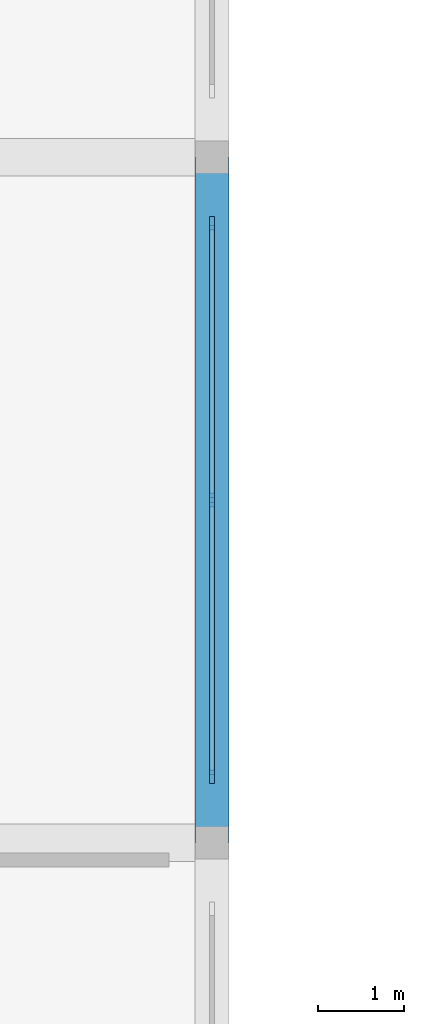
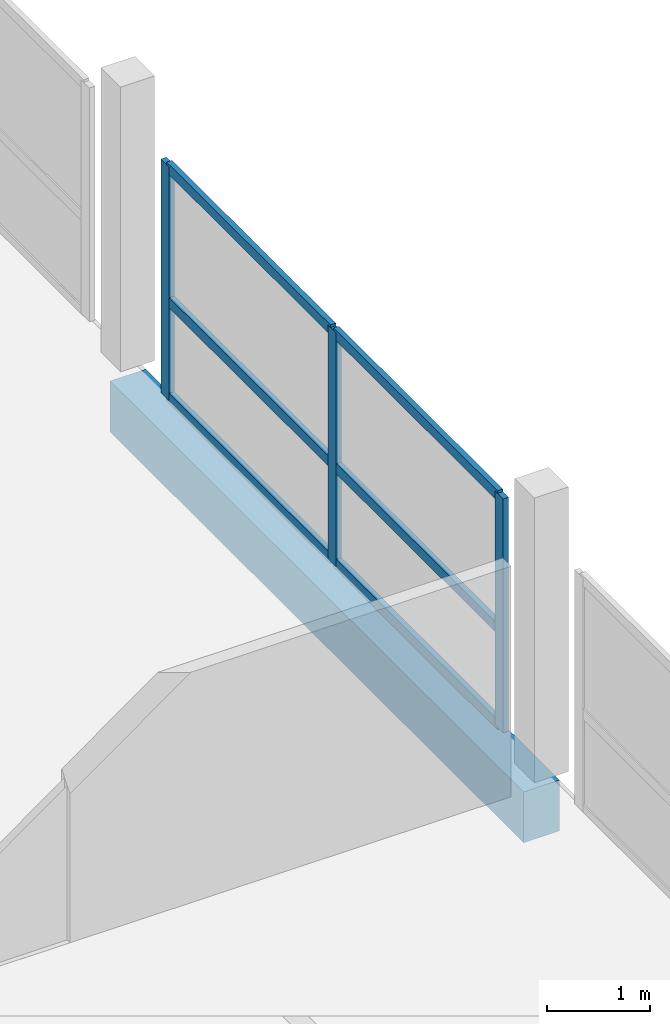
# One storey, part 13 of 34: 9 members, 1 beam, 1 element without a shape of its own.
"""IFC4 building model written with IfcOpenShell, lengths in metres."""

from ifc_helpers import new_model, si_unit, direction, frame, origin, origin_2d, place, context, subcontext, project, spatial, rectangle, extrude, material, material_profile, profile_set, type_object, element, aggregate, save


model = new_model("IFC4")

# Units and contexts
model_context = context("Model", 3, precision=1e-05, world=origin(), true_north=direction((0.0, 1.0)))
body_context = subcontext(model_context, "Body", "Model", "MODEL_VIEW")
ifc_project = project(units=[si_unit("LENGTHUNIT", "METRE"), si_unit("AREAUNIT", "SQUARE_METRE"), si_unit("VOLUMEUNIT", "CUBIC_METRE"), si_unit("PLANEANGLEUNIT", "RADIAN"), si_unit("MASSUNIT", "GRAM", prefix="KILO")], contexts=[model_context])

# Site, building, storey
site_placement = place(None, origin())
site = spatial("IfcSite", under=ifc_project, at=site_placement, CompositionType="ELEMENT")
building_placement = place(site_placement, origin())
building = spatial("IfcBuilding", under=site, at=building_placement, Name="Vharandega Faculty of Natural Sciences", CompositionType="ELEMENT")
storey_placement = place(building_placement, frame((0.0, 0.0, 21.60009765625)))
storey = spatial("IfcBuildingStorey", under=building, at=storey_placement, Name="L05", CompositionType="ELEMENT", Elevation=21.60009765625)

# Curtain wall, members
ifc_material_1 = material(Name="Aluminium and solar-control glass curtain wall", Category="aluminium")
curtain_wall_type = type_object("IfcCurtainWallType", Name="Unitised Curtain Wall System CW-03", PredefinedType="NOTDEFINED", material=ifc_material_1)
curtain_wall_placement = place(storey_placement, origin())
curtain_wall = element("IfcCurtainWall", 1, at=curtain_wall_placement, inside=storey, type_object=curtain_wall_type, Name="Curtain Wall CW-L05-198", PredefinedType="NOTDEFINED")
ifc_material_2 = material(Name="Thermally broken aluminium 6063-T6", Category="aluminium")
ifc_material_profile_1 = material_profile(ifc_material_2, rectangle(XDim=0.06005859375, YDim=0.159912109375, at=origin_2d()), Name="ALU 60x160")
ifc_profile_set_1 = profile_set([ifc_material_profile_1], Name="Thermally broken aluminium 6063-T6")
member_type_1 = type_object("IfcMemberType", Name="CW Mullion 60x160", PredefinedType="MULLION", material=ifc_profile_set_1)
member_1_placement = place(storey_placement, frame((48.0, 40.77001953125, 0.0), z_axis=(0.0, 0.0, 1.0), x_axis=(-1.0, 0.0, 0.0)))
member_1 = element("IfcMember", 2, at=member_1_placement, type_object=member_type_1, Name="CW-03 mullion 1", PredefinedType="MULLION", context=body_context, shape_type="SweptSolid", body=[
    extrude(rectangle(XDim=0.06005859375, YDim=0.159912109375, at=origin_2d()), origin(), (0.0, 0.0, 1.0), 2.760009765625),
])
member_2_placement = place(storey_placement, frame((48.0, 44.0, 0.0), z_axis=(0.0, 0.0, 1.0), x_axis=(-1.0, 0.0, 0.0)))
member_2 = element("IfcMember", 3, at=member_2_placement, type_object=member_type_1, Name="CW-03 mullion 2", PredefinedType="MULLION", context=body_context, shape_type="SweptSolid", body=[
    extrude(rectangle(XDim=0.06005859375, YDim=0.159912109375, at=origin_2d()), origin(), (0.0, 0.0, 1.0), 2.760009765625),
])
member_3_placement = place(storey_placement, frame((48.0, 47.22998046875, 0.0), z_axis=(0.0, 0.0, 1.0), x_axis=(-1.0, 0.0, 0.0)))
member_3 = element("IfcMember", 4, at=member_3_placement, type_object=member_type_1, Name="CW-03 mullion 3", PredefinedType="MULLION", context=body_context, shape_type="SweptSolid", body=[
    extrude(rectangle(XDim=0.06005859375, YDim=0.159912109375, at=origin_2d()), origin(), (0.0, 0.0, 1.0), 2.760009765625),
])
ifc_material_3 = material(Name="Thermally broken aluminium 6063-T6", Category="aluminium")
ifc_material_profile_2 = material_profile(ifc_material_3, rectangle(XDim=0.06005859375, YDim=0.1201171875, at=origin_2d()), Name="ALU 60x120")
ifc_profile_set_2 = profile_set([ifc_material_profile_2], Name="Thermally broken aluminium 6063-T6")
member_type_2 = type_object("IfcMemberType", Name="CW Transom 60x120", PredefinedType="USERDEFINED", material=ifc_profile_set_2)
member_4_placement = place(storey_placement, frame((48.0, 40.800048828125, 0.02978515625), z_axis=(0.0, 1.0, 0.0), x_axis=(-1.0, 0.0, 0.0)))
member_4 = element("IfcMember", 5, at=member_4_placement, type_object=member_type_2, Name="CW-03 transom 1.1", ObjectType="TRANSOM", PredefinedType="USERDEFINED", context=body_context, shape_type="SweptSolid", body=[
    extrude(rectangle(XDim=0.06005859375, YDim=0.1201171875, at=origin_2d()), origin(), (0.0, 0.0, 1.0), 3.169921875),
])
member_5_placement = place(storey_placement, frame((48.0, 40.800048828125, 1.1591796875), z_axis=(0.0, 1.0, 0.0), x_axis=(-1.0, 0.0, 0.0)))
member_5 = element("IfcMember", 6, at=member_5_placement, type_object=member_type_2, Name="CW-03 transom 1.2", ObjectType="TRANSOM", PredefinedType="USERDEFINED", context=body_context, shape_type="SweptSolid", body=[
    extrude(rectangle(XDim=0.06005859375, YDim=0.1201171875, at=origin_2d()), origin(), (0.0, 0.0, 1.0), 3.169921875),
])
member_6_placement = place(storey_placement, frame((48.0, 40.800048828125, 2.72998046875), z_axis=(0.0, 1.0, 0.0), x_axis=(-1.0, 0.0, 0.0)))
member_6 = element("IfcMember", 7, at=member_6_placement, type_object=member_type_2, Name="CW-03 transom 1.3", ObjectType="TRANSOM", PredefinedType="USERDEFINED", context=body_context, shape_type="SweptSolid", body=[
    extrude(rectangle(XDim=0.06005859375, YDim=0.1201171875, at=origin_2d()), origin(), (0.0, 0.0, 1.0), 3.169921875),
])
member_7_placement = place(storey_placement, frame((48.0, 44.030029296875, 0.02978515625), z_axis=(0.0, 1.0, 0.0), x_axis=(-1.0, 0.0, 0.0)))
member_7 = element("IfcMember", 8, at=member_7_placement, type_object=member_type_2, Name="CW-03 transom 2.1", ObjectType="TRANSOM", PredefinedType="USERDEFINED", context=body_context, shape_type="SweptSolid", body=[
    extrude(rectangle(XDim=0.06005859375, YDim=0.1201171875, at=origin_2d()), origin(), (0.0, 0.0, 1.0), 3.169921875),
])
member_8_placement = place(storey_placement, frame((48.0, 44.030029296875, 1.1591796875), z_axis=(0.0, 1.0, 0.0), x_axis=(-1.0, 0.0, 0.0)))
member_8 = element("IfcMember", 9, at=member_8_placement, type_object=member_type_2, Name="CW-03 transom 2.2", ObjectType="TRANSOM", PredefinedType="USERDEFINED", context=body_context, shape_type="SweptSolid", body=[
    extrude(rectangle(XDim=0.06005859375, YDim=0.1201171875, at=origin_2d()), origin(), (0.0, 0.0, 1.0), 3.169921875),
])
member_9_placement = place(storey_placement, frame((48.0, 44.030029296875, 2.72998046875), z_axis=(0.0, 1.0, 0.0), x_axis=(-1.0, 0.0, 0.0)))
member_9 = element("IfcMember", 10, at=member_9_placement, type_object=member_type_2, Name="CW-03 transom 2.3", ObjectType="TRANSOM", PredefinedType="USERDEFINED", context=body_context, shape_type="SweptSolid", body=[
    extrude(rectangle(XDim=0.06005859375, YDim=0.1201171875, at=origin_2d()), origin(), (0.0, 0.0, 1.0), 3.169921875),
])
aggregate(curtain_wall, [member_1, member_2, member_3, member_4, member_5, member_6, member_7, member_8, member_9])

# Beam
ifc_material_4 = material(Name="Glulam GL32h", Category="wood")
ifc_material_profile_3 = material_profile(ifc_material_4, rectangle(XDim=0.39990234375, YDim=0.60009765625, at=origin_2d()), Name="GL32h 400x600")
ifc_profile_set_3 = profile_set([ifc_material_profile_3], Name="Glulam GL32h")
beam_type = type_object("IfcBeamType", Name="Glulam Spine Girder 400x600", PredefinedType="BEAM", material=ifc_profile_set_3)
beam_placement = place(storey_placement, frame((48.0, 40.0, -0.52001953125), z_axis=(0.0, 1.0, 0.0), x_axis=(-1.0, 0.0, 0.0)))
element("IfcBeam", 11, at=beam_placement, inside=storey, type_object=beam_type, Name="Beam L05 7/F-G", PredefinedType="BEAM", context=body_context, shape_type="SweptSolid", body=[
    extrude(rectangle(XDim=0.39990234375, YDim=0.60009765625, at=origin_2d()), origin(), (0.0, 0.0, 1.0), 8.0),
])

save(model, "model.ifc")
